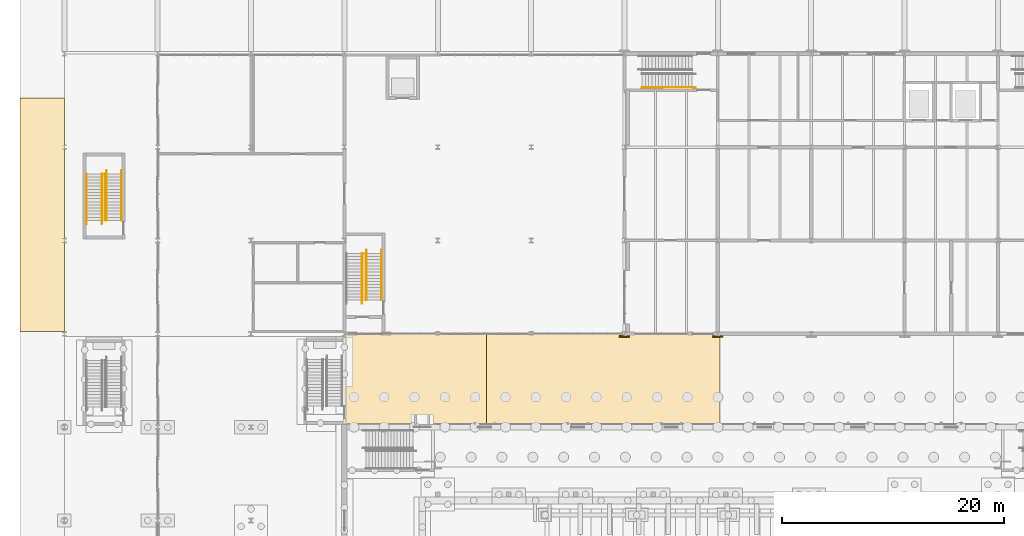
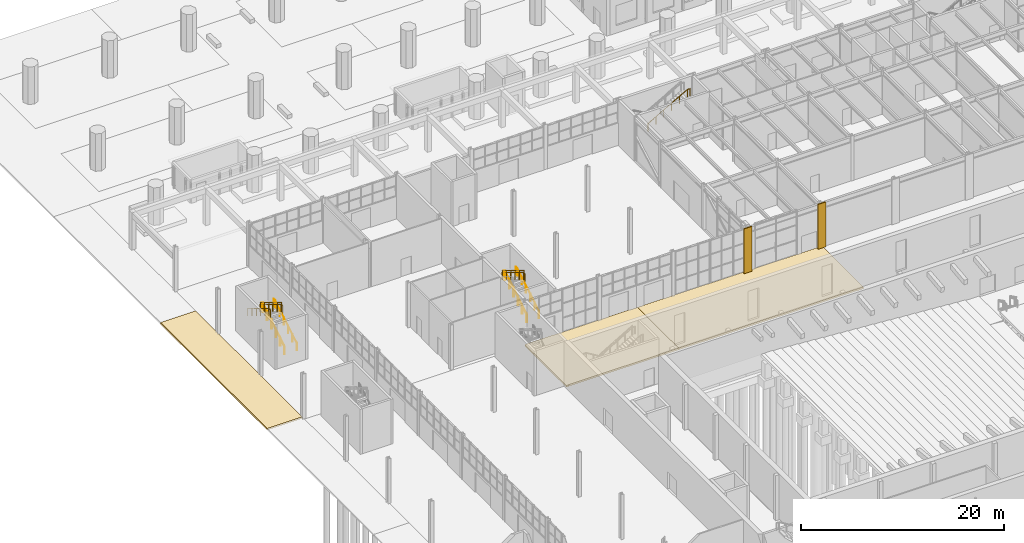
# One storey, part 108 of 127: 12 railings, 5 coverings.
"""IFC4 building model written with IfcOpenShell, lengths in metres."""

from ifc_helpers import new_model, si_unit, direction, frame, origin, origin_2d, place, context, subcontext, project, spatial, polyline, rectangle, circle, outline, extrude, material, layer, layer_set, type_object, element, save


model = new_model("IFC4")

# Units and contexts
model_context = context("Model", 3, precision=1e-05, world=origin(), true_north=direction((0.0, 1.0)))
body_context = subcontext(model_context, "Body", "Model", "MODEL_VIEW")
ifc_project = project(units=[si_unit("LENGTHUNIT", "METRE"), si_unit("AREAUNIT", "SQUARE_METRE"), si_unit("VOLUMEUNIT", "CUBIC_METRE"), si_unit("PLANEANGLEUNIT", "RADIAN"), si_unit("MASSUNIT", "GRAM", prefix="KILO")], contexts=[model_context])

# Site, building, storey
site_placement = place(None, origin())
site = spatial("IfcSite", under=ifc_project, at=site_placement, CompositionType="ELEMENT")
building_placement = place(site_placement, origin())
building = spatial("IfcBuilding", under=site, at=building_placement, Name="Ljudholm Concert House", CompositionType="ELEMENT")
storey_placement = place(building_placement, origin())
storey = spatial("IfcBuildingStorey", under=building, at=storey_placement, Name="L00", CompositionType="ELEMENT", Elevation=0.0)

# Railings
ifc_material_1 = material(Name="Steel ASTM A36", Category="steel")
railing_type_1 = type_object("IfcRailingType", Name="GUARD 1100", PredefinedType="GUARDRAIL", material=ifc_material_1)
railing_1_placement = place(storey_placement, frame((7.72509765625, 115.0, 0.168701171875)))
element("IfcRailing", 1, at=railing_1_placement, inside=storey, type_object=railing_type_1, Name="Guard", PredefinedType="GUARDRAIL", context=body_context, shape_type="SweptSolid", body=[
    extrude(circle(Radius=0.02490234375, at=origin_2d()), frame((0.0, 0.0, 1.0751953125), z_axis=(0.0, 0.856459004192, 0.516215046409), x_axis=(-1.0, 0.0, 0.0)), (0.0, 0.0, 1.0), 0.98095703125),
    extrude(circle(Radius=0.02490234375, at=origin_2d()), frame((0.0, 0.840087890625, 1.58154296875), z_axis=(0.0, 0.856502732318, 0.516142489563), x_axis=(-1.0, 0.0, 0.0)), (0.0, 0.0, 1.0), 0.98046875),
    extrude(circle(Radius=0.02490234375, at=origin_2d()), frame((0.0, 1.679931640625, 2.08740234375), z_axis=(0.0, 0.856459004192, 0.516215046409), x_axis=(-1.0, 0.0, 0.0)), (0.0, 0.0, 1.0), 0.98095703125),
    extrude(circle(Radius=0.02490234375, at=origin_2d()), frame((0.0, 2.52001953125, 2.59375), z_axis=(0.0, 0.856459004192, 0.516215046409), x_axis=(-1.0, 0.0, 0.0)), (0.0, 0.0, 1.0), 0.98095703125),
    extrude(circle(Radius=0.02490234375, at=origin_2d()), frame((0.0, 3.360107421875, 3.10009765625), z_axis=(0.0, 0.856502732318, 0.516142489563), x_axis=(-1.0, 0.0, 0.0)), (0.0, 0.0, 1.0), 0.98046875),
    extrude(circle(Radius=0.02099609375, at=origin_2d()), origin(), (0.0, 0.0, 1.0), 1.050048828125),
    extrude(circle(Radius=0.02099609375, at=origin_2d()), frame((0.0, 0.840087890625, 0.50634765625)), (0.0, 0.0, 1.0), 1.050048828125),
    extrude(circle(Radius=0.02099609375, at=origin_2d()), frame((0.0, 1.679931640625, 1.012451171875)), (0.0, 0.0, 1.0), 1.050048828125),
    extrude(circle(Radius=0.02099609375, at=origin_2d()), frame((0.0, 2.52001953125, 1.518798828125)), (0.0, 0.0, 1.0), 1.050048828125),
    extrude(circle(Radius=0.02099609375, at=origin_2d()), frame((0.0, 3.360107421875, 2.025146484375)), (0.0, 0.0, 1.0), 1.050048828125),
    extrude(circle(Radius=0.02099609375, at=origin_2d()), frame((0.0, 4.199951171875, 2.53125)), (0.0, 0.0, 1.0), 1.050048828125),
])
railing_2_placement = place(storey_placement, frame((7.425048828125, 119.199951171875, 2.86865234375)))
element("IfcRailing", 2, at=railing_2_placement, inside=storey, type_object=railing_type_1, Name="Guard", PredefinedType="GUARDRAIL", context=body_context, shape_type="SweptSolid", body=[
    extrude(circle(Radius=0.02490234375, at=origin_2d()), frame((0.0, 0.0, 1.0751953125), z_axis=(0.0, -0.856392657067, 0.516325107778), x_axis=(1.0, 0.0, 0.0)), (0.0, 0.0, 1.0), 0.980712890625),
    extrude(circle(Radius=0.02490234375, at=origin_2d()), frame((0.0, -0.83984375, 1.58154296875), z_axis=(0.0, -0.856459004192, 0.516215046409), x_axis=(1.0, 0.0, 0.0)), (0.0, 0.0, 1.0), 0.98095703125),
    extrude(circle(Radius=0.02490234375, at=origin_2d()), frame((0.0, -1.679931640625, 2.087890625), z_axis=(0.0, -0.856569041035, 0.516032438845), x_axis=(1.0, 0.0, 0.0)), (0.0, 0.0, 1.0), 0.980712890625),
    extrude(circle(Radius=0.02490234375, at=origin_2d()), frame((0.0, -2.52001953125, 2.59375), z_axis=(0.0, -0.856392657067, 0.516325107778), x_axis=(1.0, 0.0, 0.0)), (0.0, 0.0, 1.0), 0.980712890625),
    extrude(circle(Radius=0.02490234375, at=origin_2d()), frame((0.0, -3.35986328125, 3.10009765625), z_axis=(0.0, -0.856569041035, 0.516032438845), x_axis=(1.0, 0.0, 0.0)), (0.0, 0.0, 1.0), 0.980712890625),
    extrude(circle(Radius=0.02099609375, at=origin_2d()), origin(), (0.0, 0.0, 1.0), 1.050048828125),
    extrude(circle(Radius=0.02099609375, at=origin_2d()), frame((0.0, -0.83984375, 0.50634765625)), (0.0, 0.0, 1.0), 1.050048828125),
    extrude(circle(Radius=0.02099609375, at=origin_2d()), frame((0.0, -1.679931640625, 1.0126953125)), (0.0, 0.0, 1.0), 1.050048828125),
    extrude(circle(Radius=0.02099609375, at=origin_2d()), frame((0.0, -2.52001953125, 1.518798828125)), (0.0, 0.0, 1.0), 1.050048828125),
    extrude(circle(Radius=0.02099609375, at=origin_2d()), frame((0.0, -3.35986328125, 2.025146484375)), (0.0, 0.0, 1.0), 1.050048828125),
    extrude(circle(Radius=0.02099609375, at=origin_2d()), frame((0.0, -4.199951171875, 2.53125)), (0.0, 0.0, 1.0), 1.050048828125),
])
railing_3_placement = place(storey_placement, frame((31.125, 107.830078125, 0.168701171875)))
element("IfcRailing", 3, at=railing_3_placement, inside=storey, type_object=railing_type_1, Name="Guard", PredefinedType="GUARDRAIL", context=body_context, shape_type="SweptSolid", body=[
    extrude(circle(Radius=0.02490234375, at=origin_2d()), frame((0.0, 0.0, 1.0751953125), z_axis=(0.0, 0.856392657067, 0.516325107778), x_axis=(-1.0, 0.0, 0.0)), (0.0, 0.0, 1.0), 0.980712890625),
    extrude(circle(Radius=0.02490234375, at=origin_2d()), frame((0.0, 0.83984375, 1.58154296875), z_axis=(0.0, 0.856569041035, 0.516032438845), x_axis=(-1.0, 0.0, 0.0)), (0.0, 0.0, 1.0), 0.980712890625),
    extrude(circle(Radius=0.02490234375, at=origin_2d()), frame((0.0, 1.679931640625, 2.08740234375), z_axis=(0.0, 0.856459004192, 0.516215046409), x_axis=(-1.0, 0.0, 0.0)), (0.0, 0.0, 1.0), 0.98095703125),
    extrude(circle(Radius=0.02490234375, at=origin_2d()), frame((0.0, 2.52001953125, 2.59375), z_axis=(0.0, 0.856392657067, 0.516325107778), x_axis=(-1.0, 0.0, 0.0)), (0.0, 0.0, 1.0), 0.980712890625),
    extrude(circle(Radius=0.02490234375, at=origin_2d()), frame((0.0, 3.35986328125, 3.10009765625), z_axis=(0.0, 0.856569041035, 0.516032438845), x_axis=(-1.0, 0.0, 0.0)), (0.0, 0.0, 1.0), 0.980712890625),
    extrude(circle(Radius=0.02099609375, at=origin_2d()), origin(), (0.0, 0.0, 1.0), 1.050048828125),
    extrude(circle(Radius=0.02099609375, at=origin_2d()), frame((0.0, 0.83984375, 0.50634765625)), (0.0, 0.0, 1.0), 1.050048828125),
    extrude(circle(Radius=0.02099609375, at=origin_2d()), frame((0.0, 1.679931640625, 1.012451171875)), (0.0, 0.0, 1.0), 1.050048828125),
    extrude(circle(Radius=0.02099609375, at=origin_2d()), frame((0.0, 2.52001953125, 1.518798828125)), (0.0, 0.0, 1.0), 1.050048828125),
    extrude(circle(Radius=0.02099609375, at=origin_2d()), frame((0.0, 3.35986328125, 2.025146484375)), (0.0, 0.0, 1.0), 1.050048828125),
    extrude(circle(Radius=0.02099609375, at=origin_2d()), frame((0.0, 4.199951171875, 2.53125)), (0.0, 0.0, 1.0), 1.050048828125),
])
railing_4_placement = place(storey_placement, frame((30.824951171875, 112.030029296875, 2.86865234375)))
element("IfcRailing", 4, at=railing_4_placement, inside=storey, type_object=railing_type_1, Name="Guard", PredefinedType="GUARDRAIL", context=body_context, shape_type="SweptSolid", body=[
    extrude(circle(Radius=0.02490234375, at=origin_2d()), frame((0.0, 0.0, 1.0751953125), z_axis=(0.0, -0.856459004192, 0.516215046409), x_axis=(1.0, 0.0, 0.0)), (0.0, 0.0, 1.0), 0.98095703125),
    extrude(circle(Radius=0.02490234375, at=origin_2d()), frame((0.0, -0.840087890625, 1.58154296875), z_axis=(0.0, -0.856392657067, 0.516325107778), x_axis=(1.0, 0.0, 0.0)), (0.0, 0.0, 1.0), 0.980712890625),
    extrude(circle(Radius=0.02490234375, at=origin_2d()), frame((0.0, -1.679931640625, 2.087890625), z_axis=(0.0, -0.856569041035, 0.516032438845), x_axis=(1.0, 0.0, 0.0)), (0.0, 0.0, 1.0), 0.980712890625),
    extrude(circle(Radius=0.02490234375, at=origin_2d()), frame((0.0, -2.52001953125, 2.59375), z_axis=(0.0, -0.856459004192, 0.516215046409), x_axis=(1.0, 0.0, 0.0)), (0.0, 0.0, 1.0), 0.98095703125),
    extrude(circle(Radius=0.02490234375, at=origin_2d()), frame((0.0, -3.360107421875, 3.10009765625), z_axis=(0.0, -0.856502732318, 0.516142489563), x_axis=(1.0, 0.0, 0.0)), (0.0, 0.0, 1.0), 0.98046875),
    extrude(circle(Radius=0.02099609375, at=origin_2d()), origin(), (0.0, 0.0, 1.0), 1.050048828125),
    extrude(circle(Radius=0.02099609375, at=origin_2d()), frame((0.0, -0.840087890625, 0.50634765625)), (0.0, 0.0, 1.0), 1.050048828125),
    extrude(circle(Radius=0.02099609375, at=origin_2d()), frame((0.0, -1.679931640625, 1.0126953125)), (0.0, 0.0, 1.0), 1.050048828125),
    extrude(circle(Radius=0.02099609375, at=origin_2d()), frame((0.0, -2.52001953125, 1.518798828125)), (0.0, 0.0, 1.0), 1.050048828125),
    extrude(circle(Radius=0.02099609375, at=origin_2d()), frame((0.0, -3.360107421875, 2.025146484375)), (0.0, 0.0, 1.0), 1.050048828125),
    extrude(circle(Radius=0.02099609375, at=origin_2d()), frame((0.0, -4.199951171875, 2.53125)), (0.0, 0.0, 1.0), 1.050048828125),
])
ifc_material_2 = material(Name="Steel ASTM A36", Category="steel")
railing_type_2 = type_object("IfcRailingType", Name="HANDRAIL 900", PredefinedType="HANDRAIL", material=ifc_material_2)
railing_5_placement = place(storey_placement, frame((55.97509765625, 126.949951171875, 2.86865234375)))
element("IfcRailing", 5, at=railing_5_placement, inside=storey, type_object=railing_type_2, Name="Handrail", PredefinedType="HANDRAIL", context=body_context, shape_type="SweptSolid", body=[
    extrude(circle(Radius=0.0224609375, at=origin_2d()), frame((0.0, 0.0, 0.87744140625), z_axis=(0.871512386077, 0.0, 0.490373491244), x_axis=(0.0, 1.0, 0.0)), (0.0, 0.0, 1.0), 1.032470703125),
    extrude(circle(Radius=0.0224609375, at=origin_2d()), frame((0.89990234375, 0.0, 1.3837890625), z_axis=(0.871512386077, 0.0, 0.490373491244), x_axis=(0.0, 1.0, 0.0)), (0.0, 0.0, 1.0), 1.032470703125),
    extrude(circle(Radius=0.0224609375, at=origin_2d()), frame((1.7998046875, 0.0, 1.89013671875), z_axis=(0.87167022805, 0.0, 0.49009286215), x_axis=(0.0, 1.0, 0.0)), (0.0, 0.0, 1.0), 1.03271484375),
    extrude(circle(Radius=0.0224609375, at=origin_2d()), frame((2.699951171875, 0.0, 2.396240234375), z_axis=(0.871512386077, 0.0, 0.490373491244), x_axis=(0.0, 1.0, 0.0)), (0.0, 0.0, 1.0), 1.032470703125),
    extrude(circle(Radius=0.0224609375, at=origin_2d()), frame((3.599853515625, 0.0, 2.902587890625), z_axis=(0.87167022805, 0.0, 0.49009286215), x_axis=(0.0, 1.0, 0.0)), (0.0, 0.0, 1.0), 1.03271484375),
    extrude(circle(Radius=0.0224609375, at=origin_2d()), frame((4.5, 0.0, 3.40869140625), z_axis=(1.0, 0.0, 0.0), x_axis=(0.0, 1.0, 0.0)), (0.0, 0.0, 1.0), 0.2998046875),
    extrude(circle(Radius=0.02099609375, at=origin_2d()), origin(), (0.0, 0.0, 1.0), 0.85498046875),
    extrude(circle(Radius=0.02099609375, at=origin_2d()), frame((0.89990234375, 0.0, 0.50634765625)), (0.0, 0.0, 1.0), 0.85498046875),
    extrude(circle(Radius=0.02099609375, at=origin_2d()), frame((1.7998046875, 0.0, 1.0126953125)), (0.0, 0.0, 1.0), 0.85498046875),
    extrude(circle(Radius=0.02099609375, at=origin_2d()), frame((2.699951171875, 0.0, 1.518798828125)), (0.0, 0.0, 1.0), 0.85498046875),
    extrude(circle(Radius=0.02099609375, at=origin_2d()), frame((3.599853515625, 0.0, 2.025146484375)), (0.0, 0.0, 1.0), 0.85498046875),
    extrude(circle(Radius=0.02099609375, at=origin_2d()), frame((4.5, 0.0, 2.53125)), (0.0, 0.0, 1.0), 0.85498046875),
    extrude(circle(Radius=0.02099609375, at=origin_2d()), frame((4.7998046875, 0.0, 2.53125)), (0.0, 0.0, 1.0), 0.85498046875),
])
railing_6_placement = place(storey_placement, frame((7.77490234375, 115.0, 0.168701171875)))
element("IfcRailing", 6, at=railing_6_placement, inside=storey, type_object=railing_type_2, Name="Handrail", PredefinedType="HANDRAIL", context=body_context, shape_type="SweptSolid", body=[
    extrude(circle(Radius=0.0224609375, at=origin_2d()), frame((0.0, 0.0, 0.87744140625), z_axis=(0.0, 0.856459004192, 0.516215046409), x_axis=(-1.0, 0.0, 0.0)), (0.0, 0.0, 1.0), 0.98095703125),
    extrude(circle(Radius=0.0224609375, at=origin_2d()), frame((0.0, 0.840087890625, 1.3837890625), z_axis=(0.0, 0.856502732318, 0.516142489563), x_axis=(-1.0, 0.0, 0.0)), (0.0, 0.0, 1.0), 0.98046875),
    extrude(circle(Radius=0.0224609375, at=origin_2d()), frame((0.0, 1.679931640625, 1.889892578125), z_axis=(0.0, 0.856459004192, 0.516215046409), x_axis=(-1.0, 0.0, 0.0)), (0.0, 0.0, 1.0), 0.98095703125),
    extrude(circle(Radius=0.0224609375, at=origin_2d()), frame((0.0, 2.52001953125, 2.396240234375), z_axis=(0.0, 0.856459004192, 0.516215046409), x_axis=(-1.0, 0.0, 0.0)), (0.0, 0.0, 1.0), 0.98095703125),
    extrude(circle(Radius=0.0224609375, at=origin_2d()), frame((0.0, 3.360107421875, 2.902587890625), z_axis=(0.0, 0.856502732318, 0.516142489563), x_axis=(-1.0, 0.0, 0.0)), (0.0, 0.0, 1.0), 0.98046875),
    extrude(circle(Radius=0.0224609375, at=origin_2d()), frame((0.0, 4.199951171875, 3.40869140625), z_axis=(0.0, 1.0, 0.0), x_axis=(-1.0, 0.0, 0.0)), (0.0, 0.0, 1.0), 0.300048828125),
    extrude(circle(Radius=0.02099609375, at=origin_2d()), origin(), (0.0, 0.0, 1.0), 0.85498046875),
    extrude(circle(Radius=0.02099609375, at=origin_2d()), frame((0.0, 0.840087890625, 0.50634765625)), (0.0, 0.0, 1.0), 0.85498046875),
    extrude(circle(Radius=0.02099609375, at=origin_2d()), frame((0.0, 1.679931640625, 1.012451171875)), (0.0, 0.0, 1.0), 0.85498046875),
    extrude(circle(Radius=0.02099609375, at=origin_2d()), frame((0.0, 2.52001953125, 1.518798828125)), (0.0, 0.0, 1.0), 0.85498046875),
    extrude(circle(Radius=0.02099609375, at=origin_2d()), frame((0.0, 3.360107421875, 2.025146484375)), (0.0, 0.0, 1.0), 0.85498046875),
    extrude(circle(Radius=0.02099609375, at=origin_2d()), frame((0.0, 4.199951171875, 2.53125)), (0.0, 0.0, 1.0), 0.85498046875),
    extrude(circle(Radius=0.02099609375, at=origin_2d()), frame((0.0, 4.5, 2.53125)), (0.0, 0.0, 1.0), 0.85498046875),
])
railing_7_placement = place(storey_placement, frame((9.14990234375, 115.0, 0.168701171875)))
element("IfcRailing", 7, at=railing_7_placement, inside=storey, type_object=railing_type_2, Name="Handrail", PredefinedType="HANDRAIL", context=body_context, shape_type="SweptSolid", body=[
    extrude(circle(Radius=0.0224609375, at=origin_2d()), frame((0.0, 0.0, 0.87744140625), z_axis=(0.0, 0.856459004192, 0.516215046409), x_axis=(-1.0, 0.0, 0.0)), (0.0, 0.0, 1.0), 0.98095703125),
    extrude(circle(Radius=0.0224609375, at=origin_2d()), frame((0.0, 0.840087890625, 1.3837890625), z_axis=(0.0, 0.856502732318, 0.516142489563), x_axis=(-1.0, 0.0, 0.0)), (0.0, 0.0, 1.0), 0.98046875),
    extrude(circle(Radius=0.0224609375, at=origin_2d()), frame((0.0, 1.679931640625, 1.889892578125), z_axis=(0.0, 0.856459004192, 0.516215046409), x_axis=(-1.0, 0.0, 0.0)), (0.0, 0.0, 1.0), 0.98095703125),
    extrude(circle(Radius=0.0224609375, at=origin_2d()), frame((0.0, 2.52001953125, 2.396240234375), z_axis=(0.0, 0.856459004192, 0.516215046409), x_axis=(-1.0, 0.0, 0.0)), (0.0, 0.0, 1.0), 0.98095703125),
    extrude(circle(Radius=0.0224609375, at=origin_2d()), frame((0.0, 3.360107421875, 2.902587890625), z_axis=(0.0, 0.856502732318, 0.516142489563), x_axis=(-1.0, 0.0, 0.0)), (0.0, 0.0, 1.0), 0.98046875),
    extrude(circle(Radius=0.0224609375, at=origin_2d()), frame((0.0, 4.199951171875, 3.40869140625), z_axis=(0.0, 1.0, 0.0), x_axis=(-1.0, 0.0, 0.0)), (0.0, 0.0, 1.0), 0.300048828125),
    extrude(circle(Radius=0.02099609375, at=origin_2d()), origin(), (0.0, 0.0, 1.0), 0.85498046875),
    extrude(circle(Radius=0.02099609375, at=origin_2d()), frame((0.0, 0.840087890625, 0.50634765625)), (0.0, 0.0, 1.0), 0.85498046875),
    extrude(circle(Radius=0.02099609375, at=origin_2d()), frame((0.0, 1.679931640625, 1.012451171875)), (0.0, 0.0, 1.0), 0.85498046875),
    extrude(circle(Radius=0.02099609375, at=origin_2d()), frame((0.0, 2.52001953125, 1.518798828125)), (0.0, 0.0, 1.0), 0.85498046875),
    extrude(circle(Radius=0.02099609375, at=origin_2d()), frame((0.0, 3.360107421875, 2.025146484375)), (0.0, 0.0, 1.0), 0.85498046875),
    extrude(circle(Radius=0.02099609375, at=origin_2d()), frame((0.0, 4.199951171875, 2.53125)), (0.0, 0.0, 1.0), 0.85498046875),
    extrude(circle(Radius=0.02099609375, at=origin_2d()), frame((0.0, 4.5, 2.53125)), (0.0, 0.0, 1.0), 0.85498046875),
])
railing_8_placement = place(storey_placement, frame((7.375, 119.199951171875, 2.86865234375)))
element("IfcRailing", 8, at=railing_8_placement, inside=storey, type_object=railing_type_2, Name="Handrail", PredefinedType="HANDRAIL", context=body_context, shape_type="SweptSolid", body=[
    extrude(circle(Radius=0.0224609375, at=origin_2d()), frame((0.0, 0.0, 0.87744140625), z_axis=(0.0, -0.856392657067, 0.516325107778), x_axis=(1.0, 0.0, 0.0)), (0.0, 0.0, 1.0), 0.980712890625),
    extrude(circle(Radius=0.0224609375, at=origin_2d()), frame((0.0, -0.83984375, 1.3837890625), z_axis=(0.0, -0.856459004192, 0.516215046409), x_axis=(1.0, 0.0, 0.0)), (0.0, 0.0, 1.0), 0.98095703125),
    extrude(circle(Radius=0.0224609375, at=origin_2d()), frame((0.0, -1.679931640625, 1.89013671875), z_axis=(0.0, -0.856569041035, 0.516032438845), x_axis=(1.0, 0.0, 0.0)), (0.0, 0.0, 1.0), 0.980712890625),
    extrude(circle(Radius=0.0224609375, at=origin_2d()), frame((0.0, -2.52001953125, 2.396240234375), z_axis=(0.0, -0.856392657067, 0.516325107778), x_axis=(1.0, 0.0, 0.0)), (0.0, 0.0, 1.0), 0.980712890625),
    extrude(circle(Radius=0.0224609375, at=origin_2d()), frame((0.0, -3.35986328125, 2.902587890625), z_axis=(0.0, -0.856569041035, 0.516032438845), x_axis=(1.0, 0.0, 0.0)), (0.0, 0.0, 1.0), 0.980712890625),
    extrude(circle(Radius=0.0224609375, at=origin_2d()), frame((0.0, -4.199951171875, 3.40869140625), z_axis=(0.0, -1.0, 0.0), x_axis=(1.0, 0.0, 0.0)), (0.0, 0.0, 1.0), 0.300048828125),
    extrude(circle(Radius=0.02099609375, at=origin_2d()), origin(), (0.0, 0.0, 1.0), 0.85498046875),
    extrude(circle(Radius=0.02099609375, at=origin_2d()), frame((0.0, -0.83984375, 0.50634765625)), (0.0, 0.0, 1.0), 0.85498046875),
    extrude(circle(Radius=0.02099609375, at=origin_2d()), frame((0.0, -1.679931640625, 1.0126953125)), (0.0, 0.0, 1.0), 0.85498046875),
    extrude(circle(Radius=0.02099609375, at=origin_2d()), frame((0.0, -2.52001953125, 1.518798828125)), (0.0, 0.0, 1.0), 0.85498046875),
    extrude(circle(Radius=0.02099609375, at=origin_2d()), frame((0.0, -3.35986328125, 2.025146484375)), (0.0, 0.0, 1.0), 0.85498046875),
    extrude(circle(Radius=0.02099609375, at=origin_2d()), frame((0.0, -4.199951171875, 2.53125)), (0.0, 0.0, 1.0), 0.85498046875),
    extrude(circle(Radius=0.02099609375, at=origin_2d()), frame((0.0, -4.5, 2.53125)), (0.0, 0.0, 1.0), 0.85498046875),
])
railing_9_placement = place(storey_placement, frame((6.0, 119.199951171875, 2.86865234375)))
element("IfcRailing", 9, at=railing_9_placement, inside=storey, type_object=railing_type_2, Name="Handrail", PredefinedType="HANDRAIL", context=body_context, shape_type="SweptSolid", body=[
    extrude(circle(Radius=0.0224609375, at=origin_2d()), frame((0.0, 0.0, 0.87744140625), z_axis=(0.0, -0.856392657067, 0.516325107778), x_axis=(1.0, 0.0, 0.0)), (0.0, 0.0, 1.0), 0.980712890625),
    extrude(circle(Radius=0.0224609375, at=origin_2d()), frame((0.0, -0.83984375, 1.3837890625), z_axis=(0.0, -0.856459004192, 0.516215046409), x_axis=(1.0, 0.0, 0.0)), (0.0, 0.0, 1.0), 0.98095703125),
    extrude(circle(Radius=0.0224609375, at=origin_2d()), frame((0.0, -1.679931640625, 1.89013671875), z_axis=(0.0, -0.856569041035, 0.516032438845), x_axis=(1.0, 0.0, 0.0)), (0.0, 0.0, 1.0), 0.980712890625),
    extrude(circle(Radius=0.0224609375, at=origin_2d()), frame((0.0, -2.52001953125, 2.396240234375), z_axis=(0.0, -0.856392657067, 0.516325107778), x_axis=(1.0, 0.0, 0.0)), (0.0, 0.0, 1.0), 0.980712890625),
    extrude(circle(Radius=0.0224609375, at=origin_2d()), frame((0.0, -3.35986328125, 2.902587890625), z_axis=(0.0, -0.856569041035, 0.516032438845), x_axis=(1.0, 0.0, 0.0)), (0.0, 0.0, 1.0), 0.980712890625),
    extrude(circle(Radius=0.0224609375, at=origin_2d()), frame((0.0, -4.199951171875, 3.40869140625), z_axis=(0.0, -1.0, 0.0), x_axis=(1.0, 0.0, 0.0)), (0.0, 0.0, 1.0), 0.300048828125),
    extrude(circle(Radius=0.02099609375, at=origin_2d()), origin(), (0.0, 0.0, 1.0), 0.85498046875),
    extrude(circle(Radius=0.02099609375, at=origin_2d()), frame((0.0, -0.83984375, 0.50634765625)), (0.0, 0.0, 1.0), 0.85498046875),
    extrude(circle(Radius=0.02099609375, at=origin_2d()), frame((0.0, -1.679931640625, 1.0126953125)), (0.0, 0.0, 1.0), 0.85498046875),
    extrude(circle(Radius=0.02099609375, at=origin_2d()), frame((0.0, -2.52001953125, 1.518798828125)), (0.0, 0.0, 1.0), 0.85498046875),
    extrude(circle(Radius=0.02099609375, at=origin_2d()), frame((0.0, -3.35986328125, 2.025146484375)), (0.0, 0.0, 1.0), 0.85498046875),
    extrude(circle(Radius=0.02099609375, at=origin_2d()), frame((0.0, -4.199951171875, 2.53125)), (0.0, 0.0, 1.0), 0.85498046875),
    extrude(circle(Radius=0.02099609375, at=origin_2d()), frame((0.0, -4.5, 2.53125)), (0.0, 0.0, 1.0), 0.85498046875),
])
railing_10_placement = place(storey_placement, frame((31.175048828125, 107.830078125, 0.168701171875)))
element("IfcRailing", 10, at=railing_10_placement, inside=storey, type_object=railing_type_2, Name="Handrail", PredefinedType="HANDRAIL", context=body_context, shape_type="SweptSolid", body=[
    extrude(circle(Radius=0.0224609375, at=origin_2d()), frame((0.0, 0.0, 0.87744140625), z_axis=(0.0, 0.856392657067, 0.516325107778), x_axis=(-1.0, 0.0, 0.0)), (0.0, 0.0, 1.0), 0.980712890625),
    extrude(circle(Radius=0.0224609375, at=origin_2d()), frame((0.0, 0.83984375, 1.3837890625), z_axis=(0.0, 0.856569041035, 0.516032438845), x_axis=(-1.0, 0.0, 0.0)), (0.0, 0.0, 1.0), 0.980712890625),
    extrude(circle(Radius=0.0224609375, at=origin_2d()), frame((0.0, 1.679931640625, 1.889892578125), z_axis=(0.0, 0.856459004192, 0.516215046409), x_axis=(-1.0, 0.0, 0.0)), (0.0, 0.0, 1.0), 0.98095703125),
    extrude(circle(Radius=0.0224609375, at=origin_2d()), frame((0.0, 2.52001953125, 2.396240234375), z_axis=(0.0, 0.856392657067, 0.516325107778), x_axis=(-1.0, 0.0, 0.0)), (0.0, 0.0, 1.0), 0.980712890625),
    extrude(circle(Radius=0.0224609375, at=origin_2d()), frame((0.0, 3.35986328125, 2.902587890625), z_axis=(0.0, 0.856569041035, 0.516032438845), x_axis=(-1.0, 0.0, 0.0)), (0.0, 0.0, 1.0), 0.980712890625),
    extrude(circle(Radius=0.0224609375, at=origin_2d()), frame((0.0, 4.199951171875, 3.40869140625), z_axis=(0.0, 1.0, 0.0), x_axis=(-1.0, 0.0, 0.0)), (0.0, 0.0, 1.0), 0.300048828125),
    extrude(circle(Radius=0.02099609375, at=origin_2d()), origin(), (0.0, 0.0, 1.0), 0.85498046875),
    extrude(circle(Radius=0.02099609375, at=origin_2d()), frame((0.0, 0.83984375, 0.50634765625)), (0.0, 0.0, 1.0), 0.85498046875),
    extrude(circle(Radius=0.02099609375, at=origin_2d()), frame((0.0, 1.679931640625, 1.012451171875)), (0.0, 0.0, 1.0), 0.85498046875),
    extrude(circle(Radius=0.02099609375, at=origin_2d()), frame((0.0, 2.52001953125, 1.518798828125)), (0.0, 0.0, 1.0), 0.85498046875),
    extrude(circle(Radius=0.02099609375, at=origin_2d()), frame((0.0, 3.35986328125, 2.025146484375)), (0.0, 0.0, 1.0), 0.85498046875),
    extrude(circle(Radius=0.02099609375, at=origin_2d()), frame((0.0, 4.199951171875, 2.53125)), (0.0, 0.0, 1.0), 0.85498046875),
    extrude(circle(Radius=0.02099609375, at=origin_2d()), frame((0.0, 4.5, 2.53125)), (0.0, 0.0, 1.0), 0.85498046875),
])
railing_11_placement = place(storey_placement, frame((32.550048828125, 107.830078125, 0.168701171875)))
element("IfcRailing", 11, at=railing_11_placement, inside=storey, type_object=railing_type_2, Name="Handrail", PredefinedType="HANDRAIL", context=body_context, shape_type="SweptSolid", body=[
    extrude(circle(Radius=0.0224609375, at=origin_2d()), frame((0.0, 0.0, 0.87744140625), z_axis=(0.0, 0.856392657067, 0.516325107778), x_axis=(-1.0, 0.0, 0.0)), (0.0, 0.0, 1.0), 0.980712890625),
    extrude(circle(Radius=0.0224609375, at=origin_2d()), frame((0.0, 0.83984375, 1.3837890625), z_axis=(0.0, 0.856569041035, 0.516032438845), x_axis=(-1.0, 0.0, 0.0)), (0.0, 0.0, 1.0), 0.980712890625),
    extrude(circle(Radius=0.0224609375, at=origin_2d()), frame((0.0, 1.679931640625, 1.889892578125), z_axis=(0.0, 0.856459004192, 0.516215046409), x_axis=(-1.0, 0.0, 0.0)), (0.0, 0.0, 1.0), 0.98095703125),
    extrude(circle(Radius=0.0224609375, at=origin_2d()), frame((0.0, 2.52001953125, 2.396240234375), z_axis=(0.0, 0.856392657067, 0.516325107778), x_axis=(-1.0, 0.0, 0.0)), (0.0, 0.0, 1.0), 0.980712890625),
    extrude(circle(Radius=0.0224609375, at=origin_2d()), frame((0.0, 3.35986328125, 2.902587890625), z_axis=(0.0, 0.856569041035, 0.516032438845), x_axis=(-1.0, 0.0, 0.0)), (0.0, 0.0, 1.0), 0.980712890625),
    extrude(circle(Radius=0.0224609375, at=origin_2d()), frame((0.0, 4.199951171875, 3.40869140625), z_axis=(0.0, 1.0, 0.0), x_axis=(-1.0, 0.0, 0.0)), (0.0, 0.0, 1.0), 0.300048828125),
    extrude(circle(Radius=0.02099609375, at=origin_2d()), origin(), (0.0, 0.0, 1.0), 0.85498046875),
    extrude(circle(Radius=0.02099609375, at=origin_2d()), frame((0.0, 0.83984375, 0.50634765625)), (0.0, 0.0, 1.0), 0.85498046875),
    extrude(circle(Radius=0.02099609375, at=origin_2d()), frame((0.0, 1.679931640625, 1.012451171875)), (0.0, 0.0, 1.0), 0.85498046875),
    extrude(circle(Radius=0.02099609375, at=origin_2d()), frame((0.0, 2.52001953125, 1.518798828125)), (0.0, 0.0, 1.0), 0.85498046875),
    extrude(circle(Radius=0.02099609375, at=origin_2d()), frame((0.0, 3.35986328125, 2.025146484375)), (0.0, 0.0, 1.0), 0.85498046875),
    extrude(circle(Radius=0.02099609375, at=origin_2d()), frame((0.0, 4.199951171875, 2.53125)), (0.0, 0.0, 1.0), 0.85498046875),
    extrude(circle(Radius=0.02099609375, at=origin_2d()), frame((0.0, 4.5, 2.53125)), (0.0, 0.0, 1.0), 0.85498046875),
])
railing_12_placement = place(storey_placement, frame((30.77490234375, 112.030029296875, 2.86865234375)))
element("IfcRailing", 12, at=railing_12_placement, inside=storey, type_object=railing_type_2, Name="Handrail", PredefinedType="HANDRAIL", context=body_context, shape_type="SweptSolid", body=[
    extrude(circle(Radius=0.0224609375, at=origin_2d()), frame((0.0, 0.0, 0.87744140625), z_axis=(0.0, -0.856459004192, 0.516215046409), x_axis=(1.0, 0.0, 0.0)), (0.0, 0.0, 1.0), 0.98095703125),
    extrude(circle(Radius=0.0224609375, at=origin_2d()), frame((0.0, -0.840087890625, 1.3837890625), z_axis=(0.0, -0.856392657067, 0.516325107778), x_axis=(1.0, 0.0, 0.0)), (0.0, 0.0, 1.0), 0.980712890625),
    extrude(circle(Radius=0.0224609375, at=origin_2d()), frame((0.0, -1.679931640625, 1.89013671875), z_axis=(0.0, -0.856569041035, 0.516032438845), x_axis=(1.0, 0.0, 0.0)), (0.0, 0.0, 1.0), 0.980712890625),
    extrude(circle(Radius=0.0224609375, at=origin_2d()), frame((0.0, -2.52001953125, 2.396240234375), z_axis=(0.0, -0.856459004192, 0.516215046409), x_axis=(1.0, 0.0, 0.0)), (0.0, 0.0, 1.0), 0.98095703125),
    extrude(circle(Radius=0.0224609375, at=origin_2d()), frame((0.0, -3.360107421875, 2.902587890625), z_axis=(0.0, -0.856502732318, 0.516142489563), x_axis=(1.0, 0.0, 0.0)), (0.0, 0.0, 1.0), 0.98046875),
    extrude(circle(Radius=0.0224609375, at=origin_2d()), frame((0.0, -4.199951171875, 3.40869140625), z_axis=(0.0, -1.0, 0.0), x_axis=(1.0, 0.0, 0.0)), (0.0, 0.0, 1.0), 0.300048828125),
    extrude(circle(Radius=0.02099609375, at=origin_2d()), origin(), (0.0, 0.0, 1.0), 0.85498046875),
    extrude(circle(Radius=0.02099609375, at=origin_2d()), frame((0.0, -0.840087890625, 0.50634765625)), (0.0, 0.0, 1.0), 0.85498046875),
    extrude(circle(Radius=0.02099609375, at=origin_2d()), frame((0.0, -1.679931640625, 1.0126953125)), (0.0, 0.0, 1.0), 0.85498046875),
    extrude(circle(Radius=0.02099609375, at=origin_2d()), frame((0.0, -2.52001953125, 1.518798828125)), (0.0, 0.0, 1.0), 0.85498046875),
    extrude(circle(Radius=0.02099609375, at=origin_2d()), frame((0.0, -3.360107421875, 2.025146484375)), (0.0, 0.0, 1.0), 0.85498046875),
    extrude(circle(Radius=0.02099609375, at=origin_2d()), frame((0.0, -4.199951171875, 2.53125)), (0.0, 0.0, 1.0), 0.85498046875),
    extrude(circle(Radius=0.02099609375, at=origin_2d()), frame((0.0, -4.5, 2.53125)), (0.0, 0.0, 1.0), 0.85498046875),
])

# Coverings
ifc_material_3 = material(Name="Precast concrete pavers on compacted sand bed", Category="concrete")
ifc_layer_1 = layer(ifc_material_3, 0.199951171875)
ifc_layer_set_1 = layer_set([ifc_layer_1], Name="Precast concrete pavers on compacted sand bed")
covering_type_1 = type_object("IfcCoveringType", Name="PRECAST CONCRETE PAVERS ON COMPACTED SAND BED PAVING 200", PredefinedType="USERDEFINED", material=ifc_layer_set_1)
covering_1_placement = place(storey_placement, frame((0.0, 0.0, -0.199951171875)))
element("IfcCovering", 13, at=covering_1_placement, inside=storey, type_object=covering_type_1, Name="Paving", ObjectType="PAVING", PredefinedType="USERDEFINED", context=body_context, shape_type="SweptSolid", body=[
    extrude(outline(polyline([(29.449951171875, 96.669921875), (29.4423828125, 96.66845703125), (29.435791015625, 96.6640625), (29.431640625, 96.65771484375), (29.429931640625, 96.64990234375), (29.199951171875, 96.64990234375), (29.199951171875, 104.800048828125), (42.0, 104.800048828125), (42.0, 96.669921875), (29.449951171875, 96.669921875)])), origin(), (0.0, 0.0, 1.0), 0.199951171875),
])
covering_2_placement = place(storey_placement, frame((0.0, 0.0, -0.199951171875)))
element("IfcCovering", 14, at=covering_2_placement, inside=storey, type_object=covering_type_1, Name="Paving", ObjectType="PAVING", PredefinedType="USERDEFINED", context=body_context, shape_type="SweptSolid", body=[
    extrude(outline(polyline([(42.0, 96.669921875), (42.0, 104.800048828125), (63.0, 104.800048828125), (63.0, 96.669921875), (42.0, 96.669921875)])), origin(), (0.0, 0.0, 1.0), 0.199951171875),
])
covering_3_placement = place(storey_placement, frame((0.0, 0.0, -0.199951171875)))
element("IfcCovering", 15, at=covering_3_placement, inside=storey, type_object=covering_type_1, Name="Paving", ObjectType="PAVING", PredefinedType="USERDEFINED", context=body_context, shape_type="SweptSolid", body=[
    extrude(outline(polyline([(0.010009765625, 126.0), (4.0, 126.0), (4.0, 105.0), (0.010009765625, 105.0), (0.010009765625, 126.0)])), origin(), (0.0, 0.0, 1.0), 0.199951171875),
])
ifc_material_4 = material(Name="Precast concrete, limestone aggregate", Category="masonry")
ifc_layer_2 = layer(ifc_material_4, 0.110107421875)
ifc_layer_set_2 = layer_set([ifc_layer_2], Name="Precast concrete, limestone aggregate")
covering_type_2 = type_object("IfcCoveringType", Name="PRECAST CONCRETE, LIMESTONE AGGREGATE CLADDING 110", PredefinedType="CLADDING", material=ifc_layer_set_2)
for number, where, z_axis, x_axis, name in (
    (16, (54.39990234375, 104.554931640625, 0.0), (0.0, 0.0, 1.0), (0.0, -1.0, 0.0), "Pilaster cladding"),
    (17, (62.800048828125, 104.554931640625, 0.0), (0.0, 0.0, 1.0), (0.0, -1.0, 0.0), "Pilaster cladding"),
):
    element("IfcCovering", number, at=place(storey_placement, frame(where, z_axis=z_axis, x_axis=x_axis)), inside=storey, type_object=covering_type_2, Name=name, PredefinedType="CLADDING", context=body_context, shape_type="SweptSolid", body=[
        extrude(rectangle(XDim=0.110107421875, YDim=0.89990234375, at=origin_2d()), origin(), (0.0, 0.0, 1.0), 5.39990234375),
    ])

save(model, "model.ifc")
